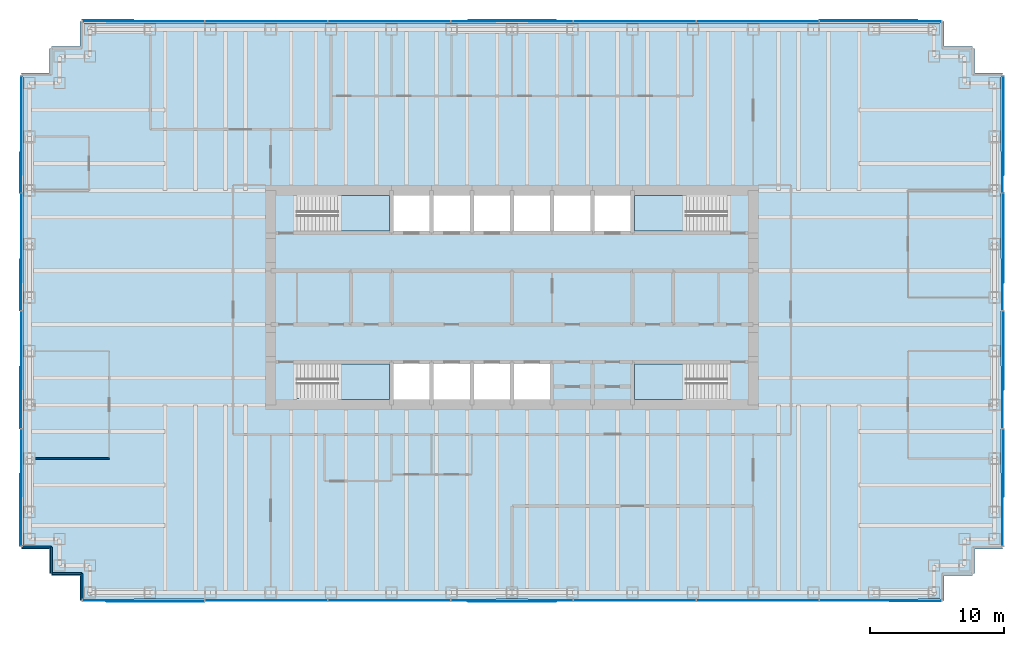
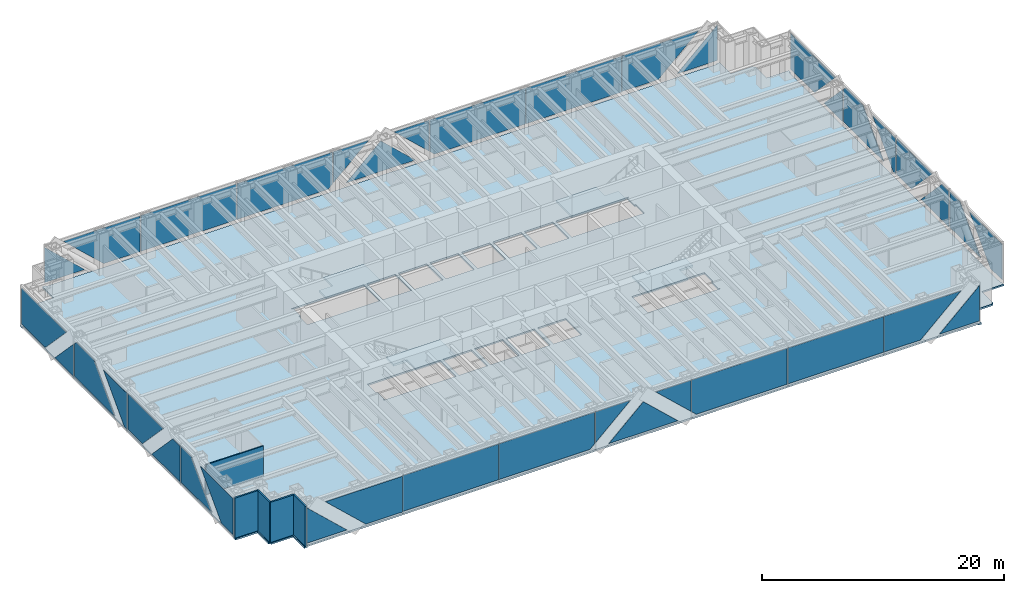
# One storey, part 9 of 14: 38 plates, 5 slabs, 5 walls, 8 elements without a shape of their own.
"""IFC4 building model written with IfcOpenShell, lengths in metres."""

from ifc_helpers import new_model, si_unit, direction, frame, frame_2d, origin, origin_2d, place, context, subcontext, project, spatial, polyline, rectangle, outline, extrude, material, layer, layer_set, type_object, element, aggregate, save


model = new_model("IFC4")

# Units and contexts
model_context = context("Model", 3, precision=1e-05, world=origin(), true_north=direction((0.0, 1.0)))
body_context = subcontext(model_context, "Body", "Model", "MODEL_VIEW")
ifc_project = project(units=[si_unit("LENGTHUNIT", "METRE"), si_unit("AREAUNIT", "SQUARE_METRE"), si_unit("VOLUMEUNIT", "CUBIC_METRE"), si_unit("PLANEANGLEUNIT", "RADIAN"), si_unit("MASSUNIT", "GRAM", prefix="KILO")], contexts=[model_context])

# Site, building, storey
site_placement = place(None, origin())
site = spatial("IfcSite", under=ifc_project, at=site_placement, CompositionType="ELEMENT")
building_placement = place(site_placement, origin())
building = spatial("IfcBuilding", under=site, at=building_placement, Name="Rheinbord Bourse Tower", CompositionType="ELEMENT")
storey_placement = place(building_placement, frame((0.0, 0.0, 240.39990234375)))
storey = spatial("IfcBuildingStorey", under=building, at=storey_placement, Name="L54", CompositionType="ELEMENT", Elevation=240.39990234375)

# Slab
ifc_material_1 = material(Name="Concrete C30/37", Category="concrete")
ifc_layer_1 = layer(ifc_material_1, 0.159912109375)
ifc_layer_set_1 = layer_set([ifc_layer_1], Name="COMPOSITE FLOOR SLAB 160")
slab_type_1 = type_object("IfcSlabType", Name="COMPOSITE FLOOR SLAB 160", PredefinedType="FLOOR", material=ifc_layer_set_1)
slab_1_placement = place(storey_placement, frame((0.0, 0.0, -0.159912109375)))
element("IfcSlab", 1, at=slab_1_placement, inside=storey, type_object=slab_type_1, Name="Floor slab L54", PredefinedType="FLOOR", context=body_context, shape_type="SweptSolid", body=[
    extrude(outline(polyline([(1.64990234375, 3.39990234375), (1.5, 3.39990234375), (1.5, 5.25), (-0.60009765625, 5.25), (-0.60009765625, 5.550048828125), (-0.5, 5.550048828125), (-0.5, 40.449951171875), (-0.60009765625, 40.449951171875), (-0.60009765625, 40.75), (1.5, 40.75), (1.5, 42.60009765625), (1.64990234375, 42.60009765625), (1.64990234375, 42.75), (3.75, 42.75), (3.75, 44.60009765625), (4.050048828125, 44.60009765625), (4.050048828125, 44.5), (67.949951171875, 44.5), (67.949951171875, 44.60009765625), (68.25, 44.60009765625), (68.25, 42.75), (70.35009765625, 42.75), (70.35009765625, 42.60009765625), (70.5, 42.60009765625), (70.5, 40.75), (72.60009765625, 40.75), (72.60009765625, 40.449951171875), (72.5, 40.449951171875), (72.5, 5.550048828125), (72.60009765625, 5.550048828125), (72.60009765625, 5.25), (70.5, 5.25), (70.5, 3.39990234375), (70.35009765625, 3.39990234375), (70.35009765625, 3.25), (68.25, 3.25), (68.25, 1.39990234375), (67.949951171875, 1.39990234375), (67.949951171875, 1.5), (4.050048828125, 1.5), (4.050048828125, 1.39990234375), (3.75, 1.39990234375), (3.75, 3.25), (1.64990234375, 3.25), (1.64990234375, 3.39990234375)]), holes=[polyline([(19.949951171875, 19.050048828125), (26.85009765625, 19.050048828125), (26.85009765625, 16.39990234375), (19.949951171875, 16.39990234375), (19.949951171875, 16.449951171875), (20.10009765625, 16.449951171875), (20.10009765625, 17.64990234375), (19.949951171875, 17.64990234375), (19.949951171875, 19.050048828125)]), polyline([(19.949951171875, 31.60009765625), (26.85009765625, 31.60009765625), (26.85009765625, 28.949951171875), (19.949951171875, 28.949951171875), (19.949951171875, 30.35009765625), (20.10009765625, 30.35009765625), (20.10009765625, 31.550048828125), (19.949951171875, 31.550048828125), (19.949951171875, 31.60009765625)]), polyline([(52.050048828125, 16.39990234375), (45.14990234375, 16.39990234375), (45.14990234375, 19.050048828125), (52.050048828125, 19.050048828125), (52.050048828125, 17.64990234375), (51.89990234375, 17.64990234375), (51.89990234375, 16.449951171875), (52.050048828125, 16.449951171875), (52.050048828125, 16.39990234375)]), polyline([(52.050048828125, 28.949951171875), (45.14990234375, 28.949951171875), (45.14990234375, 31.60009765625), (52.050048828125, 31.60009765625), (52.050048828125, 31.550048828125), (51.89990234375, 31.550048828125), (51.89990234375, 30.35009765625), (52.050048828125, 30.35009765625), (52.050048828125, 28.949951171875)]), polyline([(27.14990234375, 16.39990234375), (27.14990234375, 19.050048828125), (29.85009765625, 19.050048828125), (29.85009765625, 16.39990234375), (27.14990234375, 16.39990234375)]), polyline([(27.14990234375, 28.949951171875), (27.14990234375, 31.60009765625), (29.85009765625, 31.60009765625), (29.85009765625, 28.949951171875), (27.14990234375, 28.949951171875)]), polyline([(30.14990234375, 16.39990234375), (30.14990234375, 19.050048828125), (32.85009765625, 19.050048828125), (32.85009765625, 16.39990234375), (30.14990234375, 16.39990234375)]), polyline([(30.14990234375, 28.949951171875), (30.14990234375, 31.60009765625), (32.85009765625, 31.60009765625), (32.85009765625, 28.949951171875), (30.14990234375, 28.949951171875)]), polyline([(33.14990234375, 16.39990234375), (33.14990234375, 19.050048828125), (35.85009765625, 19.050048828125), (35.85009765625, 16.39990234375), (33.14990234375, 16.39990234375)]), polyline([(33.14990234375, 28.949951171875), (33.14990234375, 31.60009765625), (35.85009765625, 31.60009765625), (35.85009765625, 28.949951171875), (33.14990234375, 28.949951171875)]), polyline([(36.14990234375, 16.39990234375), (36.14990234375, 19.050048828125), (38.85009765625, 19.050048828125), (38.85009765625, 16.39990234375), (36.14990234375, 16.39990234375)]), polyline([(36.14990234375, 28.949951171875), (36.14990234375, 31.60009765625), (38.85009765625, 31.60009765625), (38.85009765625, 28.949951171875), (36.14990234375, 28.949951171875)]), polyline([(39.14990234375, 28.949951171875), (39.14990234375, 31.60009765625), (41.85009765625, 31.60009765625), (41.85009765625, 28.949951171875), (39.14990234375, 28.949951171875)]), polyline([(42.14990234375, 28.949951171875), (42.14990234375, 31.60009765625), (44.85009765625, 31.60009765625), (44.85009765625, 28.949951171875), (42.14990234375, 28.949951171875)])]), origin(), (0.0, 0.0, 1.0), 0.159912109375),
])

# Curtain wall, plates
ifc_material_2 = material(Name="Dark glass and black aluminium", Category="aluminium")
curtain_wall_type = type_object("IfcCurtainWallType", Name="CW2 DARK GLASS CURTAIN WALL", PredefinedType="USERDEFINED", material=ifc_material_2)
curtain_wall_1_placement = place(storey_placement, origin())
curtain_wall_1 = element("IfcCurtainWall", 2, at=curtain_wall_1_placement, inside=storey, type_object=curtain_wall_type, Name="Curtain wall CW2 S L54", ObjectType="UNITISED CURTAIN WALL", PredefinedType="USERDEFINED")
ifc_material_3 = material(Name="Dark tinted triple insulating glass", Category="glass")
ifc_layer_2 = layer(ifc_material_3, 0.050048828125)
ifc_layer_set_2 = layer_set([ifc_layer_2], Name="CW2 DARK GLASS PANEL")
plate_type = type_object("IfcPlateType", Name="CW2 DARK GLASS PANEL", PredefinedType="CURTAIN_PANEL", material=ifc_layer_set_2)
plate_1_placement = place(storey_placement, frame((17.6572265625, 1.39990234375, 0.300048828125), z_axis=(0.0, 0.0, 1.0), x_axis=(1.0, 0.0, 0.0)))
plate_1 = element("IfcPlate", 3, at=plate_1_placement, type_object=plate_type, Name="CW2 panel 2.1", PredefinedType="CURTAIN_PANEL", context=body_context, shape_type="SweptSolid", body=[
    extrude(rectangle(XDim=9.101318359375, YDim=0.050048828125, at=origin_2d()), origin(), (0.0, 0.0, 1.0), 3.60009765625),
])
plate_2_placement = place(storey_placement, frame((54.3427734375, 1.39990234375, 0.300048828125), z_axis=(0.0, 0.0, 1.0), x_axis=(1.0, 0.0, 0.0)))
plate_2 = element("IfcPlate", 4, at=plate_2_placement, type_object=plate_type, Name="CW2 panel 6.1", PredefinedType="CURTAIN_PANEL", context=body_context, shape_type="SweptSolid", body=[
    extrude(rectangle(XDim=9.101318359375, YDim=0.050048828125, at=origin_2d()), origin(), (0.0, 0.0, 1.0), 3.60009765625),
])
plate_3_placement = place(storey_placement, frame((3.969970703125, 1.375, 0.300048828125), z_axis=(0.0, 1.0, 0.0), x_axis=(0.0, 0.0, 1.0)))
plate_3 = element("IfcPlate", 5, at=plate_3_placement, type_object=plate_type, Name="CW2 glass facet 1", PredefinedType="CURTAIN_PANEL", context=body_context, shape_type="SweptSolid", body=[
    extrude(outline(polyline([(0.0, 0.0), (3.567138671875, 0.0), (0.0, 3.822021484375), (0.0, 0.0)])), origin(), (0.0, 0.0, 1.0), 0.050048828125),
])
plate_4_placement = place(storey_placement, frame((13.035888671875, 1.31982421875, 3.900146484375), z_axis=(0.0, 1.0, 0.0), x_axis=(0.0, 0.0, -1.0)))
plate_4 = element("IfcPlate", 6, at=plate_4_placement, type_object=plate_type, Name="CW2 glass facet 2", PredefinedType="CURTAIN_PANEL", context=body_context, shape_type="SweptSolid", body=[
    extrude(outline(polyline([(0.0, 0.0), (3.60009765625, 0.0), (3.60009765625, 3.470947265625), (0.0, 7.327880859375), (0.0, 0.0)])), origin(), (0.0, 0.0, 1.0), 0.050048828125),
])
plate_5_placement = place(storey_placement, frame((22.278076171875, 1.375, 0.300048828125), z_axis=(0.0, 1.0, 0.0), x_axis=(0.0, 0.0, 1.0)))
plate_5 = element("IfcPlate", 7, at=plate_5_placement, type_object=plate_type, Name="CW2 glass facet 1", PredefinedType="CURTAIN_PANEL", context=body_context, shape_type="SweptSolid", body=[
    extrude(outline(polyline([(0.0, 0.0), (3.60009765625, 0.0), (3.60009765625, 9.100830078125), (0.4150390625, 9.100830078125), (0.0, 8.656982421875), (0.0, 0.0)])), origin(), (0.0, 0.0, 1.0), 0.050048828125),
])
plate_6_placement = place(storey_placement, frame((31.448974609375, 1.375, 3.900146484375), z_axis=(0.0, 1.0, 0.0), x_axis=(1.0, 0.0, 0.0)))
plate_6 = element("IfcPlate", 8, at=plate_6_placement, type_object=plate_type, Name="CW2 glass facet 1", PredefinedType="CURTAIN_PANEL", context=body_context, shape_type="SweptSolid", body=[
    extrude(outline(polyline([(0.0, 0.0), (3.343017578125, 0.0), (0.0, 3.1201171875), (0.0, 0.0)])), origin(), (0.0, 0.0, 1.0), 0.050048828125),
])
plate_7_placement = place(storey_placement, frame((32.7080078125, 1.31982421875, 0.300048828125), z_axis=(0.0, 1.0, 0.0), x_axis=(0.731111160705, 0.0, 0.682258360661)))
plate_7 = element("IfcPlate", 9, at=plate_7_placement, type_object=plate_type, Name="CW2 glass facet 2", PredefinedType="CURTAIN_PANEL", context=body_context, shape_type="SweptSolid", body=[
    extrude(outline(polyline([(0.0, 0.0), (4.502685546875, 0.0), (4.813720703125, 4.491943359375), (0.0, 0.0)])), origin(), (0.0, 0.0, 1.0), 0.050048828125),
])
plate_8_placement = place(storey_placement, frame((40.551025390625, 1.375, 3.900146484375), z_axis=(0.0, 1.0, 0.0), x_axis=(0.0, 0.0, -1.0)))
plate_8 = element("IfcPlate", 10, at=plate_8_placement, type_object=plate_type, Name="CW2 glass facet 3", PredefinedType="CURTAIN_PANEL", context=body_context, shape_type="SweptSolid", body=[
    extrude(outline(polyline([(0.0, 0.0), (3.1201171875, 0.0), (0.0, 3.343017578125), (0.0, 0.0)])), origin(), (0.0, 0.0, 1.0), 0.050048828125),
])
plate_9_placement = place(storey_placement, frame((40.62109375, 1.375, 3.900146484375), z_axis=(0.0, 1.0, 0.0), x_axis=(1.0, 0.0, 0.0)))
plate_9 = element("IfcPlate", 11, at=plate_9_placement, type_object=plate_type, Name="CW2 glass facet 1", PredefinedType="CURTAIN_PANEL", context=body_context, shape_type="SweptSolid", body=[
    extrude(outline(polyline([(0.0, 0.0), (9.100830078125, 0.0), (9.100830078125, 3.60009765625), (0.44384765625, 3.60009765625), (0.0, 3.18505859375), (0.0, 0.0)])), origin(), (0.0, 0.0, 1.0), 0.050048828125),
])
plate_10_placement = place(storey_placement, frame((58.964111328125, 1.375, 0.300048828125), z_axis=(0.0, 1.0, 0.0), x_axis=(0.0, 0.0, 1.0)))
plate_10 = element("IfcPlate", 12, at=plate_10_placement, type_object=plate_type, Name="CW2 glass facet 1", PredefinedType="CURTAIN_PANEL", context=body_context, shape_type="SweptSolid", body=[
    extrude(outline(polyline([(0.0, 0.0), (3.60009765625, 0.0), (3.60009765625, 7.327880859375), (0.0, 3.470947265625), (0.0, 0.0)])), origin(), (0.0, 0.0, 1.0), 0.050048828125),
])
plate_11_placement = place(storey_placement, frame((68.030029296875, 1.31982421875, 0.300048828125), z_axis=(0.0, 1.0, 0.0), x_axis=(-1.0, 0.0, 0.0)))
plate_11 = element("IfcPlate", 13, at=plate_11_placement, type_object=plate_type, Name="CW2 glass facet 2", PredefinedType="CURTAIN_PANEL", context=body_context, shape_type="SweptSolid", body=[
    extrude(outline(polyline([(0.0, 0.0), (3.822021484375, 0.0), (0.0, 3.567138671875), (0.0, 0.0)])), origin(), (0.0, 0.0, 1.0), 0.050048828125),
])
aggregate(curtain_wall_1, [plate_1, plate_2, plate_3, plate_4, plate_5, plate_6, plate_7, plate_8, plate_9, plate_10, plate_11])

curtain_wall_2_placement = place(storey_placement, origin())
curtain_wall_2 = element("IfcCurtainWall", 14, at=curtain_wall_2_placement, inside=storey, type_object=curtain_wall_type, Name="Curtain wall CW2 E L54", ObjectType="UNITISED CURTAIN WALL", PredefinedType="USERDEFINED")
plate_12_placement = place(storey_placement, frame((72.625, 5.469970703125, 0.300048828125), z_axis=(-1.0, 0.0, 0.0), x_axis=(0.0, 0.0, 1.0)))
plate_12 = element("IfcPlate", 15, at=plate_12_placement, type_object=plate_type, Name="CW2 glass facet 1", PredefinedType="CURTAIN_PANEL", context=body_context, shape_type="SweptSolid", body=[
    extrude(outline(polyline([(0.0, 0.0), (3.60009765625, 0.0), (3.60009765625, 5.408935546875), (0.0, 1.97998046875), (0.0, 0.0)])), origin(), (0.0, 0.0, 1.0), 0.050048828125),
])
plate_13_placement = place(storey_placement, frame((72.68017578125, 14.1650390625, 3.900146484375), z_axis=(-1.0, 0.0, 0.0), x_axis=(0.0, 0.0, -1.0)))
plate_13 = element("IfcPlate", 16, at=plate_13_placement, type_object=plate_type, Name="CW2 glass facet 2", PredefinedType="CURTAIN_PANEL", context=body_context, shape_type="SweptSolid", body=[
    extrude(outline(polyline([(0.0, 0.0), (3.60009765625, 0.0), (3.60009765625, 5.0439453125), (0.0, 1.614990234375), (0.0, 0.0)])), origin(), (0.0, 0.0, 1.0), 0.050048828125),
])
plate_14_placement = place(storey_placement, frame((72.625, 14.235107421875, 0.300048828125), z_axis=(-1.0, 0.0, 0.0), x_axis=(0.0, 0.0, 1.0)))
plate_14 = element("IfcPlate", 17, at=plate_14_placement, type_object=plate_type, Name="CW2 glass facet 1", PredefinedType="CURTAIN_PANEL", context=body_context, shape_type="SweptSolid", body=[
    extrude(outline(polyline([(0.0, 0.0), (3.60009765625, 0.0), (3.60009765625, 1.21484375), (0.0, 4.643798828125), (0.0, 0.0)])), origin(), (0.0, 0.0, 1.0), 0.050048828125),
])
plate_15_placement = place(storey_placement, frame((72.68017578125, 22.965087890625, 3.900146484375), z_axis=(-1.0, 0.0, 0.0), x_axis=(0.0, 0.0, -1.0)))
plate_15 = element("IfcPlate", 18, at=plate_15_placement, type_object=plate_type, Name="CW2 glass facet 2", PredefinedType="CURTAIN_PANEL", context=body_context, shape_type="SweptSolid", body=[
    extrude(outline(polyline([(0.0, 0.0), (3.60009765625, 0.0), (3.60009765625, 2.4150390625), (0.0, 5.843994140625), (0.0, 0.0)])), origin(), (0.0, 0.0, 1.0), 0.050048828125),
])
plate_16_placement = place(storey_placement, frame((72.625, 23.034912109375, 0.300048828125), z_axis=(-1.0, 0.0, 0.0), x_axis=(0.0, 0.0, 1.0)))
plate_16 = element("IfcPlate", 19, at=plate_16_placement, type_object=plate_type, Name="CW2 glass facet 1", PredefinedType="CURTAIN_PANEL", context=body_context, shape_type="SweptSolid", body=[
    extrude(outline(polyline([(0.0, 0.0), (3.60009765625, 0.0), (3.60009765625, 3.843994140625), (0.0, 0.4150390625), (0.0, 0.0)])), origin(), (0.0, 0.0, 1.0), 0.050048828125),
])
plate_17_placement = place(storey_placement, frame((72.68017578125, 31.764892578125, 0.300048828125), z_axis=(-1.0, 0.0, 0.0), x_axis=(0.0, -1.0, 0.0)))
plate_17 = element("IfcPlate", 20, at=plate_17_placement, type_object=plate_type, Name="CW2 glass facet 2", PredefinedType="CURTAIN_PANEL", context=body_context, shape_type="SweptSolid", body=[
    extrude(outline(polyline([(0.0, 0.0), (6.643798828125, 0.0), (3.21484375, 3.60009765625), (0.31494140625, 3.60009765625), (0.0, 3.26904296875), (0.0, 0.0)])), origin(), (0.0, 0.0, 1.0), 0.050048828125),
])
plate_18_placement = place(storey_placement, frame((72.625, 31.8349609375, 0.300048828125), z_axis=(-1.0, 0.0, 0.0), x_axis=(0.0, 0.0, 1.0)))
plate_18 = element("IfcPlate", 21, at=plate_18_placement, type_object=plate_type, Name="CW2 glass facet 1", PredefinedType="CURTAIN_PANEL", context=body_context, shape_type="SweptSolid", body=[
    extrude(outline(polyline([(0.0, 0.0), (3.196044921875, 0.0), (0.0, 3.0439453125), (0.0, 0.0)])), origin(), (0.0, 0.0, 1.0), 0.050048828125),
])
plate_19_placement = place(storey_placement, frame((72.68017578125, 40.530029296875, 3.900146484375), z_axis=(-1.0, 0.0, 0.0), x_axis=(0.0, 0.0, -1.0)))
plate_19 = element("IfcPlate", 22, at=plate_19_placement, type_object=plate_type, Name="CW2 glass facet 2", PredefinedType="CURTAIN_PANEL", context=body_context, shape_type="SweptSolid", body=[
    extrude(outline(polyline([(0.0, 0.0), (3.60009765625, 0.0), (3.60009765625, 3.97998046875), (0.0, 7.408935546875), (0.0, 0.0)])), origin(), (0.0, 0.0, 1.0), 0.050048828125),
])
aggregate(curtain_wall_2, [plate_12, plate_13, plate_14, plate_15, plate_16, plate_17, plate_18, plate_19])

curtain_wall_3_placement = place(storey_placement, origin())
curtain_wall_3 = element("IfcCurtainWall", 23, at=curtain_wall_3_placement, inside=storey, type_object=curtain_wall_type, Name="Curtain wall CW2 N L54", ObjectType="UNITISED CURTAIN WALL", PredefinedType="USERDEFINED")
plate_20_placement = place(storey_placement, frame((54.3427734375, 44.60009765625, 0.300048828125), z_axis=(0.0, 0.0, 1.0), x_axis=(-1.0, 0.0, 0.0)))
plate_20 = element("IfcPlate", 24, at=plate_20_placement, type_object=plate_type, Name="CW2 panel 2.1", PredefinedType="CURTAIN_PANEL", context=body_context, shape_type="SweptSolid", body=[
    extrude(rectangle(XDim=9.101318359375, YDim=0.050048828125, at=origin_2d()), origin(), (0.0, 0.0, 1.0), 3.60009765625),
])
plate_21_placement = place(storey_placement, frame((17.6572265625, 44.60009765625, 0.300048828125), z_axis=(0.0, 0.0, 1.0), x_axis=(-1.0, 0.0, 0.0)))
plate_21 = element("IfcPlate", 25, at=plate_21_placement, type_object=plate_type, Name="CW2 panel 6.1", PredefinedType="CURTAIN_PANEL", context=body_context, shape_type="SweptSolid", body=[
    extrude(rectangle(XDim=9.101318359375, YDim=0.050048828125, at=origin_2d()), origin(), (0.0, 0.0, 1.0), 3.60009765625),
])
plate_22_placement = place(storey_placement, frame((68.030029296875, 44.625, 0.300048828125), z_axis=(0.0, -1.0, 0.0), x_axis=(0.0, 0.0, 1.0)))
plate_22 = element("IfcPlate", 26, at=plate_22_placement, type_object=plate_type, Name="CW2 glass facet 1", PredefinedType="CURTAIN_PANEL", context=body_context, shape_type="SweptSolid", body=[
    extrude(outline(polyline([(0.0, 0.0), (3.567138671875, 0.0), (0.0, 3.822021484375), (0.0, 0.0)])), origin(), (0.0, 0.0, 1.0), 0.050048828125),
])
plate_23_placement = place(storey_placement, frame((58.964111328125, 44.68017578125, 3.900146484375), z_axis=(0.0, -1.0, 0.0), x_axis=(0.0, 0.0, -1.0)))
plate_23 = element("IfcPlate", 27, at=plate_23_placement, type_object=plate_type, Name="CW2 glass facet 2", PredefinedType="CURTAIN_PANEL", context=body_context, shape_type="SweptSolid", body=[
    extrude(outline(polyline([(0.0, 0.0), (3.60009765625, 0.0), (3.60009765625, 3.470947265625), (0.0, 7.327880859375), (0.0, 0.0)])), origin(), (0.0, 0.0, 1.0), 0.050048828125),
])
plate_24_placement = place(storey_placement, frame((49.721923828125, 44.625, 0.300048828125), z_axis=(0.0, -1.0, 0.0), x_axis=(0.0, 0.0, 1.0)))
plate_24 = element("IfcPlate", 28, at=plate_24_placement, type_object=plate_type, Name="CW2 glass facet 1", PredefinedType="CURTAIN_PANEL", context=body_context, shape_type="SweptSolid", body=[
    extrude(outline(polyline([(0.0, 0.0), (3.60009765625, 0.0), (3.60009765625, 9.100830078125), (0.4150390625, 9.100830078125), (0.0, 8.656982421875), (0.0, 0.0)])), origin(), (0.0, 0.0, 1.0), 0.050048828125),
])
plate_25_placement = place(storey_placement, frame((40.551025390625, 44.625, 3.900146484375), z_axis=(0.0, -1.0, 0.0), x_axis=(-1.0, 0.0, 0.0)))
plate_25 = element("IfcPlate", 29, at=plate_25_placement, type_object=plate_type, Name="CW2 glass facet 1", PredefinedType="CURTAIN_PANEL", context=body_context, shape_type="SweptSolid", body=[
    extrude(outline(polyline([(0.0, 0.0), (3.343017578125, 0.0), (0.0, 3.1201171875), (0.0, 0.0)])), origin(), (0.0, 0.0, 1.0), 0.050048828125),
])
plate_26_placement = place(storey_placement, frame((39.2919921875, 44.68017578125, 0.300048828125), z_axis=(0.0, -1.0, 0.0), x_axis=(-0.731111160705, 0.0, 0.682258360661)))
plate_26 = element("IfcPlate", 30, at=plate_26_placement, type_object=plate_type, Name="CW2 glass facet 2", PredefinedType="CURTAIN_PANEL", context=body_context, shape_type="SweptSolid", body=[
    extrude(outline(polyline([(0.0, 0.0), (4.502685546875, 0.0), (4.813720703125, 4.491943359375), (0.0, 0.0)])), origin(), (0.0, 0.0, 1.0), 0.050048828125),
])
plate_27_placement = place(storey_placement, frame((31.448974609375, 44.625, 3.900146484375), z_axis=(0.0, -1.0, 0.0), x_axis=(0.0, 0.0, -1.0)))
plate_27 = element("IfcPlate", 31, at=plate_27_placement, type_object=plate_type, Name="CW2 glass facet 3", PredefinedType="CURTAIN_PANEL", context=body_context, shape_type="SweptSolid", body=[
    extrude(outline(polyline([(0.0, 0.0), (3.1201171875, 0.0), (0.0, 3.343017578125), (0.0, 0.0)])), origin(), (0.0, 0.0, 1.0), 0.050048828125),
])
plate_28_placement = place(storey_placement, frame((31.37890625, 44.625, 3.900146484375), z_axis=(0.0, -1.0, 0.0), x_axis=(-1.0, 0.0, 0.0)))
plate_28 = element("IfcPlate", 32, at=plate_28_placement, type_object=plate_type, Name="CW2 glass facet 1", PredefinedType="CURTAIN_PANEL", context=body_context, shape_type="SweptSolid", body=[
    extrude(outline(polyline([(0.0, 0.0), (9.100830078125, 0.0), (9.100830078125, 3.60009765625), (0.44384765625, 3.60009765625), (0.0, 3.18505859375), (0.0, 0.0)])), origin(), (0.0, 0.0, 1.0), 0.050048828125),
])
plate_29_placement = place(storey_placement, frame((13.035888671875, 44.625, 0.300048828125), z_axis=(0.0, -1.0, 0.0), x_axis=(0.0, 0.0, 1.0)))
plate_29 = element("IfcPlate", 33, at=plate_29_placement, type_object=plate_type, Name="CW2 glass facet 1", PredefinedType="CURTAIN_PANEL", context=body_context, shape_type="SweptSolid", body=[
    extrude(outline(polyline([(0.0, 0.0), (3.60009765625, 0.0), (3.60009765625, 7.327880859375), (0.0, 3.470947265625), (0.0, 0.0)])), origin(), (0.0, 0.0, 1.0), 0.050048828125),
])
plate_30_placement = place(storey_placement, frame((3.969970703125, 44.68017578125, 0.300048828125), z_axis=(0.0, -1.0, 0.0), x_axis=(1.0, 0.0, 0.0)))
plate_30 = element("IfcPlate", 34, at=plate_30_placement, type_object=plate_type, Name="CW2 glass facet 2", PredefinedType="CURTAIN_PANEL", context=body_context, shape_type="SweptSolid", body=[
    extrude(outline(polyline([(0.0, 0.0), (3.822021484375, 0.0), (0.0, 3.567138671875), (0.0, 0.0)])), origin(), (0.0, 0.0, 1.0), 0.050048828125),
])
aggregate(curtain_wall_3, [plate_20, plate_21, plate_22, plate_23, plate_24, plate_25, plate_26, plate_27, plate_28, plate_29, plate_30])

curtain_wall_4_placement = place(storey_placement, origin())
curtain_wall_4 = element("IfcCurtainWall", 35, at=curtain_wall_4_placement, inside=storey, type_object=curtain_wall_type, Name="Curtain wall CW2 W L54", ObjectType="UNITISED CURTAIN WALL", PredefinedType="USERDEFINED")
plate_31_placement = place(storey_placement, frame((-0.625, 40.530029296875, 0.300048828125), z_axis=(1.0, 0.0, 0.0), x_axis=(0.0, 0.0, 1.0)))
plate_31 = element("IfcPlate", 36, at=plate_31_placement, type_object=plate_type, Name="CW2 glass facet 1", PredefinedType="CURTAIN_PANEL", context=body_context, shape_type="SweptSolid", body=[
    extrude(outline(polyline([(0.0, 0.0), (3.60009765625, 0.0), (3.60009765625, 7.408935546875), (0.0, 3.97998046875), (0.0, 0.0)])), origin(), (0.0, 0.0, 1.0), 0.050048828125),
])
plate_32_placement = place(storey_placement, frame((-0.68017578125, 31.8349609375, 0.300048828125), z_axis=(1.0, 0.0, 0.0), x_axis=(0.0, 1.0, 0.0)))
plate_32 = element("IfcPlate", 37, at=plate_32_placement, type_object=plate_type, Name="CW2 glass facet 2", PredefinedType="CURTAIN_PANEL", context=body_context, shape_type="SweptSolid", body=[
    extrude(outline(polyline([(0.0, 0.0), (3.0439453125, 0.0), (0.0, 3.196044921875), (0.0, 0.0)])), origin(), (0.0, 0.0, 1.0), 0.050048828125),
])
plate_33_placement = place(storey_placement, frame((-0.625, 31.764892578125, 0.300048828125), z_axis=(1.0, 0.0, 0.0), x_axis=(0.0, 0.0, 1.0)))
plate_33 = element("IfcPlate", 38, at=plate_33_placement, type_object=plate_type, Name="CW2 glass facet 1", PredefinedType="CURTAIN_PANEL", context=body_context, shape_type="SweptSolid", body=[
    extrude(outline(polyline([(0.0, 0.0), (3.26904296875, 0.0), (3.60009765625, 0.31494140625), (3.60009765625, 3.21484375), (0.0, 6.643798828125), (0.0, 0.0)])), origin(), (0.0, 0.0, 1.0), 0.050048828125),
])
plate_34_placement = place(storey_placement, frame((-0.68017578125, 23.034912109375, 3.900146484375), z_axis=(1.0, 0.0, 0.0), x_axis=(0.0, 0.0, -1.0)))
plate_34 = element("IfcPlate", 39, at=plate_34_placement, type_object=plate_type, Name="CW2 glass facet 2", PredefinedType="CURTAIN_PANEL", context=body_context, shape_type="SweptSolid", body=[
    extrude(outline(polyline([(0.0, 0.0), (3.60009765625, 0.0), (3.60009765625, 0.4150390625), (0.0, 3.843994140625), (0.0, 0.0)])), origin(), (0.0, 0.0, 1.0), 0.050048828125),
])
plate_35_placement = place(storey_placement, frame((-0.625, 22.965087890625, 0.300048828125), z_axis=(1.0, 0.0, 0.0), x_axis=(0.0, 0.0, 1.0)))
plate_35 = element("IfcPlate", 40, at=plate_35_placement, type_object=plate_type, Name="CW2 glass facet 1", PredefinedType="CURTAIN_PANEL", context=body_context, shape_type="SweptSolid", body=[
    extrude(outline(polyline([(0.0, 0.0), (3.60009765625, 0.0), (3.60009765625, 5.843994140625), (0.0, 2.4150390625), (0.0, 0.0)])), origin(), (0.0, 0.0, 1.0), 0.050048828125),
])
plate_36_placement = place(storey_placement, frame((-0.68017578125, 14.235107421875, 3.900146484375), z_axis=(1.0, 0.0, 0.0), x_axis=(0.0, 0.0, -1.0)))
plate_36 = element("IfcPlate", 41, at=plate_36_placement, type_object=plate_type, Name="CW2 glass facet 2", PredefinedType="CURTAIN_PANEL", context=body_context, shape_type="SweptSolid", body=[
    extrude(outline(polyline([(0.0, 0.0), (3.60009765625, 0.0), (3.60009765625, 4.643798828125), (0.0, 1.21484375), (0.0, 0.0)])), origin(), (0.0, 0.0, 1.0), 0.050048828125),
])
plate_37_placement = place(storey_placement, frame((-0.625, 14.1650390625, 0.300048828125), z_axis=(1.0, 0.0, 0.0), x_axis=(0.0, 0.0, 1.0)))
plate_37 = element("IfcPlate", 42, at=plate_37_placement, type_object=plate_type, Name="CW2 glass facet 1", PredefinedType="CURTAIN_PANEL", context=body_context, shape_type="SweptSolid", body=[
    extrude(outline(polyline([(0.0, 0.0), (3.60009765625, 0.0), (3.60009765625, 1.614990234375), (0.0, 5.0439453125), (0.0, 0.0)])), origin(), (0.0, 0.0, 1.0), 0.050048828125),
])
plate_38_placement = place(storey_placement, frame((-0.68017578125, 5.469970703125, 3.900146484375), z_axis=(1.0, 0.0, 0.0), x_axis=(0.0, 0.0, -1.0)))
plate_38 = element("IfcPlate", 43, at=plate_38_placement, type_object=plate_type, Name="CW2 glass facet 2", PredefinedType="CURTAIN_PANEL", context=body_context, shape_type="SweptSolid", body=[
    extrude(outline(polyline([(0.0, 0.0), (3.60009765625, 0.0), (3.60009765625, 1.97998046875), (0.0, 5.408935546875), (0.0, 0.0)])), origin(), (0.0, 0.0, 1.0), 0.050048828125),
])
aggregate(curtain_wall_4, [plate_31, plate_32, plate_33, plate_34, plate_35, plate_36, plate_37, plate_38])

# Stair, slab
ifc_material_4 = material(Name="Concrete C30/37", Category="concrete")
stair_type = type_object("IfcStairType", Name="CORE STAIR HALF TURN 4200", PredefinedType="HALF_TURN_STAIR", material=ifc_material_4)
stair_1_placement = place(storey_placement, origin())
stair_1 = element("IfcStair", 44, at=stair_1_placement, inside=storey, type_object=stair_type, Name="Stair ST1 L54, type CS6", PredefinedType="HALF_TURN_STAIR")
ifc_material_5 = material(Name="Concrete C30/37", Category="concrete")
ifc_layer_3 = layer(ifc_material_5, 0.199951171875)
ifc_layer_set_3 = layer_set([ifc_layer_3], Name="STAIR LANDING 200")
slab_type_2 = type_object("IfcSlabType", Name="STAIR LANDING 200", PredefinedType="LANDING", material=ifc_layer_set_3)
slab_2_placement = place(storey_placement, frame((0.0, 0.0, 1.900146484375)))
slab_2 = element("IfcSlab", 45, at=slab_2_placement, type_object=slab_type_2, Name="Half landing ST1 L54", PredefinedType="LANDING", context=body_context, shape_type="SweptSolid", body=[
    extrude(outline(polyline([(23.030029296875, 16.39990234375), (26.85009765625, 16.39990234375), (26.85009765625, 19.050048828125), (21.748046875, 19.050048828125), (21.748046875, 17.85009765625), (23.030029296875, 17.85009765625), (23.030029296875, 16.39990234375)])), origin(), (0.0, 0.0, 1.0), 0.199951171875),
])
aggregate(stair_1, [slab_2])

stair_2_placement = place(storey_placement, origin())
stair_2 = element("IfcStair", 46, at=stair_2_placement, inside=storey, type_object=stair_type, Name="Stair ST2 L54, type CS6", PredefinedType="HALF_TURN_STAIR")
slab_3_placement = place(storey_placement, frame((0.0, 0.0, 1.900146484375)))
slab_3 = element("IfcSlab", 47, at=slab_3_placement, type_object=slab_type_2, Name="Half landing ST2 L54", PredefinedType="LANDING", context=body_context, shape_type="SweptSolid", body=[
    extrude(outline(polyline([(21.748046875, 28.949951171875), (26.85009765625, 28.949951171875), (26.85009765625, 31.60009765625), (23.030029296875, 31.60009765625), (23.030029296875, 30.14990234375), (21.748046875, 30.14990234375), (21.748046875, 28.949951171875)])), origin(), (0.0, 0.0, 1.0), 0.199951171875),
])
aggregate(stair_2, [slab_3])

stair_3_placement = place(storey_placement, origin())
stair_3 = element("IfcStair", 48, at=stair_3_placement, inside=storey, type_object=stair_type, Name="Stair ST3 L54, type CS6", PredefinedType="HALF_TURN_STAIR")
slab_4_placement = place(storey_placement, frame((0.0, 0.0, 1.900146484375)))
slab_4 = element("IfcSlab", 49, at=slab_4_placement, type_object=slab_type_2, Name="Half landing ST3 L54", PredefinedType="LANDING", context=body_context, shape_type="SweptSolid", body=[
    extrude(outline(polyline([(45.14990234375, 16.39990234375), (48.969970703125, 16.39990234375), (48.969970703125, 17.85009765625), (50.251953125, 17.85009765625), (50.251953125, 19.050048828125), (45.14990234375, 19.050048828125), (45.14990234375, 16.39990234375)])), origin(), (0.0, 0.0, 1.0), 0.199951171875),
])
aggregate(stair_3, [slab_4])

stair_4_placement = place(storey_placement, origin())
stair_4 = element("IfcStair", 50, at=stair_4_placement, inside=storey, type_object=stair_type, Name="Stair ST4 L54, type CS6", PredefinedType="HALF_TURN_STAIR")
slab_5_placement = place(storey_placement, frame((0.0, 0.0, 1.900146484375)))
slab_5 = element("IfcSlab", 51, at=slab_5_placement, type_object=slab_type_2, Name="Half landing ST4 L54", PredefinedType="LANDING", context=body_context, shape_type="SweptSolid", body=[
    extrude(outline(polyline([(45.14990234375, 28.949951171875), (50.251953125, 28.949951171875), (50.251953125, 30.14990234375), (48.969970703125, 30.14990234375), (48.969970703125, 31.60009765625), (45.14990234375, 31.60009765625), (45.14990234375, 28.949951171875)])), origin(), (0.0, 0.0, 1.0), 0.199951171875),
])
aggregate(stair_4, [slab_5])

# Walls
ifc_material_6 = material(Name="Black metal rainscreen panel", Category="aluminium")
ifc_layer_4 = layer(ifc_material_6, 0.14990234375)
ifc_layer_set_4 = layer_set([ifc_layer_4], Name="CORNER PIER CLADDING 150")
wall_type_1 = type_object("IfcWallType", Name="CORNER PIER CLADDING 150", PredefinedType="ELEMENTEDWALL", material=ifc_layer_set_4)
wall_1_placement = place(storey_placement, frame((-0.60009765625, 5.39990234375, 0.0), z_axis=(0.0, 0.0, 1.0), x_axis=(1.0, 0.0, 0.0)))
element("IfcWall", 52, at=wall_1_placement, inside=storey, type_object=wall_type_1, Name="Corner pier cladding L54 17", PredefinedType="ELEMENTEDWALL", context=body_context, shape_type="SweptSolid", body=[
    extrude(rectangle(XDim=2.25, YDim=0.14990234375, at=frame_2d((1.125, 0.0))), origin(), (0.0, 0.0, 1.0), 4.0400390625),
])
wall_2_placement = place(storey_placement, frame((1.64990234375, 5.39990234375, 0.0), z_axis=(0.0, 0.0, 1.0), x_axis=(0.0, -1.0, 0.0)))
element("IfcWall", 53, at=wall_2_placement, inside=storey, type_object=wall_type_1, Name="Corner pier cladding L54 18", PredefinedType="ELEMENTEDWALL", context=body_context, shape_type="SweptSolid", body=[
    extrude(rectangle(XDim=2.0, YDim=0.14990234375, at=frame_2d((1.0, 0.0))), origin(), (0.0, 0.0, 1.0), 4.0400390625),
])
wall_3_placement = place(storey_placement, frame((1.64990234375, 3.39990234375, 0.0), z_axis=(0.0, 0.0, 1.0), x_axis=(1.0, 0.0, 0.0)))
element("IfcWall", 54, at=wall_3_placement, inside=storey, type_object=wall_type_1, Name="Corner pier cladding L54 19", PredefinedType="ELEMENTEDWALL", context=body_context, shape_type="SweptSolid", body=[
    extrude(rectangle(XDim=2.25, YDim=0.14990234375, at=frame_2d((1.125, 0.0))), origin(), (0.0, 0.0, 1.0), 4.0400390625),
])
wall_4_placement = place(storey_placement, frame((3.89990234375, 3.39990234375, 0.0), z_axis=(0.0, 0.0, 1.0), x_axis=(0.0, -1.0, 0.0)))
element("IfcWall", 55, at=wall_4_placement, inside=storey, type_object=wall_type_1, Name="Corner pier cladding L54 20", PredefinedType="ELEMENTEDWALL", context=body_context, shape_type="SweptSolid", body=[
    extrude(rectangle(XDim=2.0, YDim=0.14990234375, at=frame_2d((1.0, 0.0))), origin(), (0.0, 0.0, 1.0), 4.0400390625),
])
ifc_material_7 = material(Name="Toughened laminated glass partition", Category="glass")
ifc_layer_5 = layer(ifc_material_7, 0.10009765625)
ifc_layer_set_5 = layer_set([ifc_layer_5], Name="GLAZED PARTITION 100")
wall_type_2 = type_object("IfcWallType", Name="GLAZED PARTITION 100", PredefinedType="PARTITIONING", material=ifc_layer_set_5)
wall_5_placement = place(storey_placement, frame((0.449951171875, 12.0, 0.0), z_axis=(0.0, 0.0, 1.0), x_axis=(1.0, 0.0, 0.0)))
element("IfcWall", 56, at=wall_5_placement, inside=storey, type_object=wall_type_2, Name="Partition L54-04", PredefinedType="PARTITIONING", context=body_context, shape_type="SweptSolid", body=[
    extrude(rectangle(XDim=5.5, YDim=0.10009765625, at=frame_2d((2.75, 0.0))), origin(), (0.0, 0.0, 1.0), 3.0),
])

save(model, "model.ifc")
